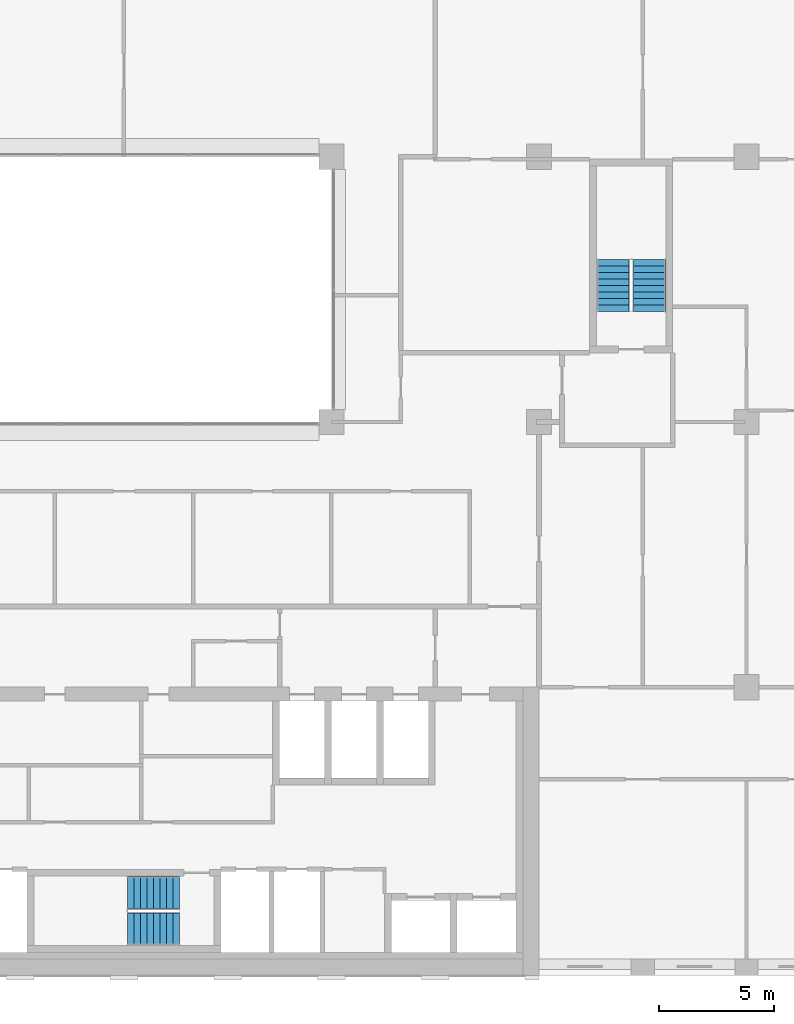
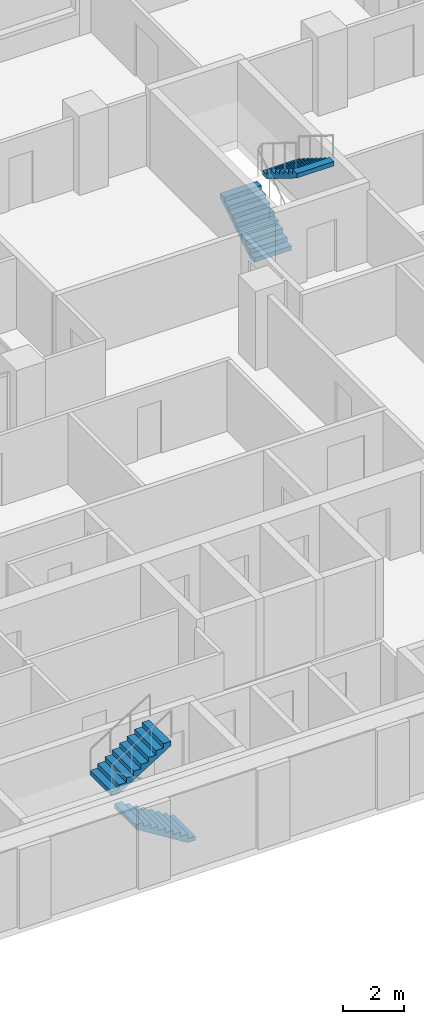
# One storey, part 15 of 16: 4 stair flights, 2 elements without a shape of their own.
"""IFC4 building model written with IfcOpenShell, lengths in metres."""

from ifc_helpers import new_model, si_unit, direction, frame, origin, place, context, subcontext, project, spatial, polyline, outline, extrude, material, type_object, element, aggregate, save


model = new_model("IFC4")

# Units and contexts
model_context = context("Model", 3, precision=1e-05, world=origin(), true_north=direction((0.0, 1.0)))
body_context = subcontext(model_context, "Body", "Model", "MODEL_VIEW")
ifc_project = project(units=[si_unit("LENGTHUNIT", "METRE"), si_unit("AREAUNIT", "SQUARE_METRE"), si_unit("VOLUMEUNIT", "CUBIC_METRE"), si_unit("PLANEANGLEUNIT", "RADIAN"), si_unit("MASSUNIT", "GRAM", prefix="KILO")], contexts=[model_context])

# Site, building, storey
site_placement = place(None, origin())
site = spatial("IfcSite", under=ifc_project, at=site_placement, CompositionType="ELEMENT")
building_placement = place(site_placement, origin())
building = spatial("IfcBuilding", under=site, at=building_placement, Name="Brigalow Station Residences", CompositionType="ELEMENT")
storey_placement = place(building_placement, frame((0.0, 0.0, 160.199951171875)))
storey = spatial("IfcBuildingStorey", under=building, at=storey_placement, Name="L46", CompositionType="ELEMENT", Elevation=160.199951171875)

# Stair, stair flights
ifc_material_1 = material(Name="Concrete C50", Category="concrete")
stair_type = type_object("IfcStairType", Name="EXIT STAIR 1400 2 FLIGHT", PredefinedType="HALF_TURN_STAIR", material=ifc_material_1)
stair_1_placement = place(storey_placement, origin())
stair_1 = element("IfcStair", 1, at=stair_1_placement, inside=storey, type_object=stair_type, Name="EXIT STAIR S2 L46", PredefinedType="HALF_TURN_STAIR")
ifc_material_2 = material(Name="Concrete C50", Category="concrete")
stair_flight_type = type_object("IfcStairFlightType", Name="STAIR FLIGHT 1400", PredefinedType="STRAIGHT", material=ifc_material_2)
stair_flight_1_placement = place(storey_placement, frame((38.39990234375, 2.0, 0.0), z_axis=(0.0, 0.0, 1.0), x_axis=(-1.0, 0.0, 0.0)))
stair_flight_1 = element("IfcStairFlight", 2, at=stair_flight_1_placement, type_object=stair_flight_type, Name="ST-2 flight 1", NumberOfRisers=9, NumberOfTreads=8, PredefinedType="STRAIGHT", RiserHeight=0.175, TreadLength=0.28, context=body_context, shape_type="SweptSolid", body=[
    extrude(outline(polyline([(0.0, 0.0), (0.0, 0.175048828125), (0.280029296875, 0.175048828125), (0.280029296875, 0.35009765625), (0.56005859375, 0.35009765625), (0.56005859375, 0.52490234375), (0.840087890625, 0.52490234375), (0.840087890625, 0.699951171875), (1.1201171875, 0.699951171875), (1.1201171875, 0.875), (1.39990234375, 0.875), (1.39990234375, 1.050048828125), (1.679931640625, 1.050048828125), (1.679931640625, 1.22509765625), (1.9599609375, 1.22509765625), (1.9599609375, 1.39990234375), (2.239990234375, 1.39990234375), (2.239990234375, 1.574951171875), (2.239990234375, 1.22314453125), (0.28271484375, 0.0), (0.0, 0.0)])), frame((0.0, 0.699951171875, 0.0), z_axis=(0.0, -1.0, 0.0), x_axis=(1.0, 0.0, 0.0)), (0.0, 0.0, 1.0), 1.39990234375),
])
stair_flight_2_placement = place(storey_placement, frame((36.159912109375, 3.60009765625, 1.574951171875), z_axis=(0.0, 0.0, 1.0), x_axis=(1.0, 0.0, 0.0)))
stair_flight_2 = element("IfcStairFlight", 3, at=stair_flight_2_placement, type_object=stair_flight_type, Name="ST-2 flight 2", NumberOfRisers=9, NumberOfTreads=8, PredefinedType="STRAIGHT", RiserHeight=0.175, TreadLength=0.28, context=body_context, shape_type="SweptSolid", body=[
    extrude(outline(polyline([(0.0, 0.0), (0.0, 0.175048828125), (0.280029296875, 0.175048828125), (0.280029296875, 0.35009765625), (0.56005859375, 0.35009765625), (0.56005859375, 0.52490234375), (0.840087890625, 0.52490234375), (0.840087890625, 0.699951171875), (1.1201171875, 0.699951171875), (1.1201171875, 0.875), (1.39990234375, 0.875), (1.39990234375, 1.050048828125), (1.679931640625, 1.050048828125), (1.679931640625, 1.22509765625), (1.9599609375, 1.22509765625), (1.9599609375, 1.39990234375), (2.239990234375, 1.39990234375), (2.239990234375, 1.574951171875), (2.239990234375, 1.22314453125), (0.28271484375, 0.0), (0.0, 0.0)])), frame((0.0, 0.699951171875, 0.0), z_axis=(0.0, -1.0, 0.0), x_axis=(1.0, 0.0, 0.0)), (0.0, 0.0, 1.0), 1.39990234375),
])
aggregate(stair_1, [stair_flight_1, stair_flight_2])

stair_2_placement = place(storey_placement, origin())
stair_2 = element("IfcStair", 4, at=stair_2_placement, inside=storey, type_object=stair_type, Name="EXIT STAIR S3 L46", PredefinedType="HALF_TURN_STAIR")
stair_flight_3_placement = place(storey_placement, frame((57.199951171875, 28.800048828125, 0.0), z_axis=(0.0, 0.0, 1.0), x_axis=(0.0, 1.0, 0.0)))
stair_flight_3 = element("IfcStairFlight", 5, at=stair_flight_3_placement, type_object=stair_flight_type, Name="ST-3 flight 1", NumberOfRisers=9, NumberOfTreads=8, PredefinedType="STRAIGHT", RiserHeight=0.175, TreadLength=0.28, context=body_context, shape_type="SweptSolid", body=[
    extrude(outline(polyline([(0.0, 0.0), (0.0, 0.175048828125), (0.280029296875, 0.175048828125), (0.280029296875, 0.35009765625), (0.56005859375, 0.35009765625), (0.56005859375, 0.52490234375), (0.840087890625, 0.52490234375), (0.840087890625, 0.699951171875), (1.1201171875, 0.699951171875), (1.1201171875, 0.875), (1.39990234375, 0.875), (1.39990234375, 1.050048828125), (1.679931640625, 1.050048828125), (1.679931640625, 1.22509765625), (1.9599609375, 1.22509765625), (1.9599609375, 1.39990234375), (2.239990234375, 1.39990234375), (2.239990234375, 1.574951171875), (2.239990234375, 1.22314453125), (0.28271484375, 0.0), (0.0, 0.0)])), frame((0.0, 0.699951171875, 0.0), z_axis=(0.0, -1.0, 0.0), x_axis=(1.0, 0.0, 0.0)), (0.0, 0.0, 1.0), 1.39990234375),
])
stair_flight_4_placement = place(storey_placement, frame((58.800048828125, 31.0400390625, 1.574951171875), z_axis=(0.0, 0.0, 1.0), x_axis=(0.0, -1.0, 0.0)))
stair_flight_4 = element("IfcStairFlight", 6, at=stair_flight_4_placement, type_object=stair_flight_type, Name="ST-3 flight 2", NumberOfRisers=9, NumberOfTreads=8, PredefinedType="STRAIGHT", RiserHeight=0.175, TreadLength=0.28, context=body_context, shape_type="SweptSolid", body=[
    extrude(outline(polyline([(0.0, 0.0), (0.0, 0.175048828125), (0.280029296875, 0.175048828125), (0.280029296875, 0.35009765625), (0.56005859375, 0.35009765625), (0.56005859375, 0.52490234375), (0.840087890625, 0.52490234375), (0.840087890625, 0.699951171875), (1.1201171875, 0.699951171875), (1.1201171875, 0.875), (1.39990234375, 0.875), (1.39990234375, 1.050048828125), (1.679931640625, 1.050048828125), (1.679931640625, 1.22509765625), (1.9599609375, 1.22509765625), (1.9599609375, 1.39990234375), (2.239990234375, 1.39990234375), (2.239990234375, 1.574951171875), (2.239990234375, 1.22314453125), (0.28271484375, 0.0), (0.0, 0.0)])), frame((0.0, 0.699951171875, 0.0), z_axis=(0.0, -1.0, 0.0), x_axis=(1.0, 0.0, 0.0)), (0.0, 0.0, 1.0), 1.39990234375),
])
aggregate(stair_2, [stair_flight_3, stair_flight_4])

save(model, "model.ifc")
